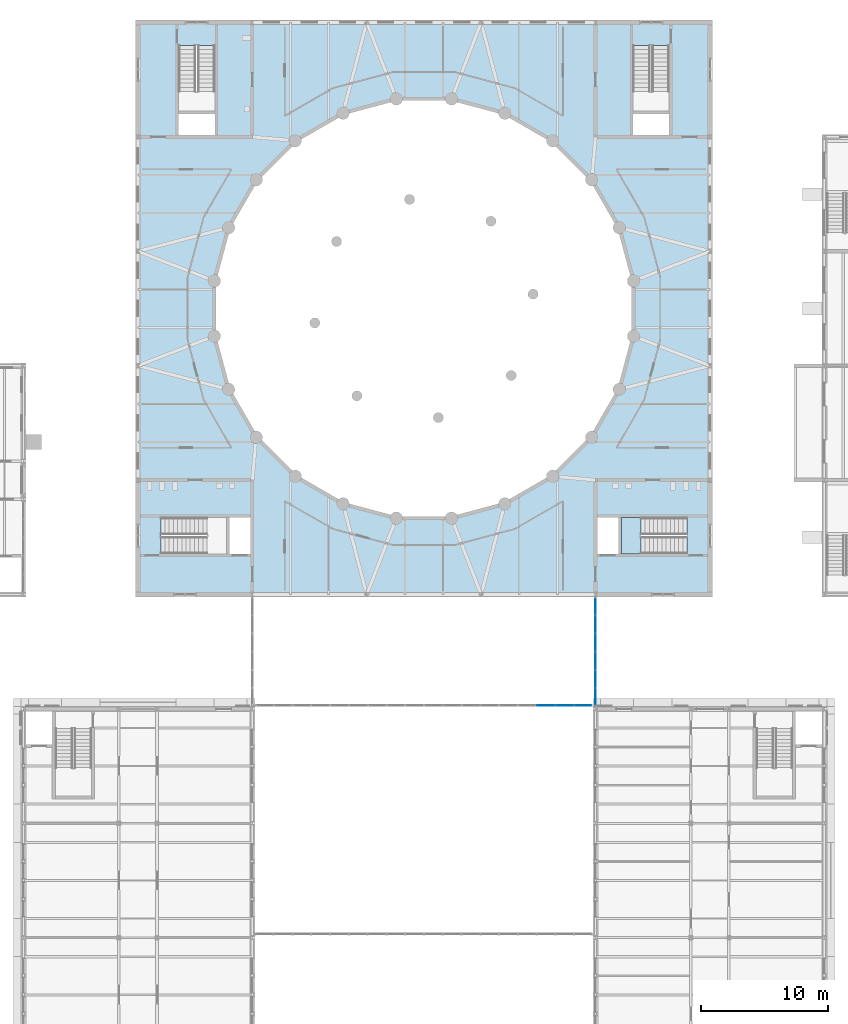
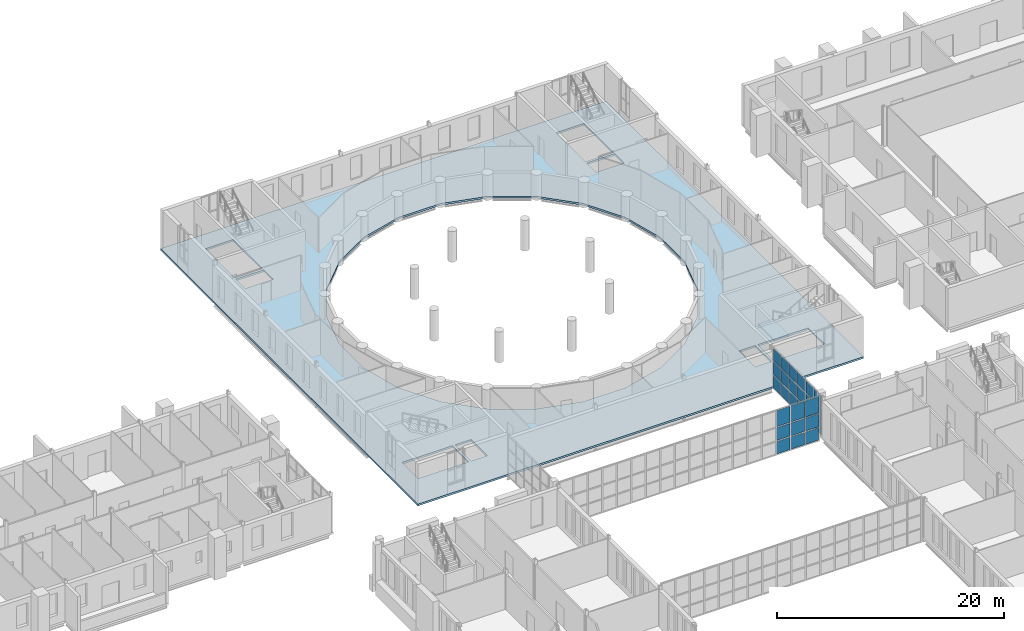
# One storey, part 65 of 134: 27 plates, 2 slabs, 3 elements without a shape of their own.
"""IFC4 building model written with IfcOpenShell, lengths in metres."""

from ifc_helpers import new_model, si_unit, direction, frame, origin, origin_2d, place, context, subcontext, project, spatial, polyline, rectangle, outline, extrude, material, layer, layer_set, type_object, element, aggregate, save


model = new_model("IFC4")

# Units and contexts
model_context = context("Model", 3, precision=1e-05, world=origin(), true_north=direction((0.0, 1.0)))
body_context = subcontext(model_context, "Body", "Model", "MODEL_VIEW")
ifc_project = project(units=[si_unit("LENGTHUNIT", "METRE"), si_unit("AREAUNIT", "SQUARE_METRE"), si_unit("VOLUMEUNIT", "CUBIC_METRE"), si_unit("PLANEANGLEUNIT", "RADIAN"), si_unit("MASSUNIT", "GRAM", prefix="KILO")], contexts=[model_context])

# Site, building, storey
site_placement = place(None, origin())
site = spatial("IfcSite", under=ifc_project, at=site_placement, CompositionType="ELEMENT")
building_placement = place(site_placement, origin())
building = spatial("IfcBuilding", under=site, at=building_placement, Name="Golden Quay Civic Hall", CompositionType="ELEMENT")
storey_placement = place(building_placement, frame((0.0, 0.0, 5.39990234375)))
storey = spatial("IfcBuildingStorey", under=building, at=storey_placement, Name="L01", CompositionType="ELEMENT", Elevation=5.39990234375)

# Slab
ifc_material_1 = material(Name="Concrete C35/45", Category="concrete")
ifc_layer_1 = layer(ifc_material_1, 0.199951171875)
ifc_layer_set_1 = layer_set([ifc_layer_1], Name="Composite floor 200")
slab_type_1 = type_object("IfcSlabType", Name="Composite floor 200", PredefinedType="FLOOR", material=ifc_layer_set_1)
slab_1_placement = place(storey_placement, frame((0.0, 0.0, -0.199951171875)))
element("IfcSlab", 1, at=slab_1_placement, inside=storey, type_object=slab_type_1, Name="Floor slab", PredefinedType="FLOOR", context=body_context, shape_type="SweptSolid", body=[
    extrude(outline(polyline([(62.800048828125, 108.199951171875), (108.199951171875, 108.199951171875), (108.199951171875, 62.800048828125), (62.800048828125, 62.800048828125), (62.800048828125, 108.199951171875)]), holes=[polyline([(98.583251953125, 95.5390625), (95.5390625, 98.583251953125), (91.810791015625, 100.73583984375), (87.652587890625, 101.85009765625), (83.347412109375, 101.85009765625), (79.189208984375, 100.73583984375), (75.4609375, 98.583251953125), (72.416748046875, 95.5390625), (70.26416015625, 91.810791015625), (69.14990234375, 87.652587890625), (69.14990234375, 83.347412109375), (70.26416015625, 79.189208984375), (72.416748046875, 75.4609375), (75.4609375, 72.416748046875), (79.189208984375, 70.26416015625), (83.347412109375, 69.14990234375), (87.652587890625, 69.14990234375), (91.810791015625, 70.26416015625), (95.5390625, 72.416748046875), (98.583251953125, 75.4609375), (100.73583984375, 79.189208984375), (101.85009765625, 83.347412109375), (101.85009765625, 87.652587890625), (100.73583984375, 91.810791015625), (98.583251953125, 95.5390625)]), polyline([(69.949951171875, 69.050048828125), (64.804931640625, 69.050048828125), (64.804931640625, 66.199951171875), (69.949951171875, 66.199951171875), (69.949951171875, 69.050048828125)]), polyline([(71.85009765625, 69.050048828125), (70.199951171875, 69.050048828125), (70.199951171875, 66.199951171875), (71.85009765625, 66.199951171875), (71.85009765625, 69.050048828125)]), polyline([(99.14990234375, 69.050048828125), (99.14990234375, 66.199951171875), (100.800048828125, 66.199951171875), (100.800048828125, 69.050048828125), (99.14990234375, 69.050048828125)]), polyline([(101.050048828125, 66.199951171875), (106.195068359375, 66.199951171875), (106.195068359375, 69.050048828125), (101.050048828125, 69.050048828125), (101.050048828125, 66.199951171875)]), polyline([(69.050048828125, 99.14990234375), (69.050048828125, 100.800048828125), (66.199951171875, 100.800048828125), (66.199951171875, 99.14990234375), (69.050048828125, 99.14990234375)]), polyline([(101.949951171875, 99.14990234375), (104.800048828125, 99.14990234375), (104.800048828125, 100.800048828125), (101.949951171875, 100.800048828125), (101.949951171875, 99.14990234375)]), polyline([(69.050048828125, 101.050048828125), (69.050048828125, 106.195068359375), (66.199951171875, 106.195068359375), (66.199951171875, 101.050048828125), (69.050048828125, 101.050048828125)]), polyline([(104.800048828125, 101.050048828125), (104.800048828125, 106.195068359375), (101.949951171875, 106.195068359375), (101.949951171875, 101.050048828125), (104.800048828125, 101.050048828125)])]), origin(), (0.0, 0.0, 1.0), 0.199951171875),
])

# Curtain wall, plates
ifc_material_2 = material(Name="Fire-resisting glass and steel", Category="steel")
curtain_wall_type_1 = type_object("IfcCurtainWallType", Name="Fire-resisting glazed curtain wall EI 120", PredefinedType="NOTDEFINED", material=ifc_material_2)
curtain_wall_1_placement = place(storey_placement, origin())
curtain_wall_1 = element("IfcCurtainWall", 2, at=curtain_wall_1_placement, inside=storey, type_object=curtain_wall_type_1, Name="CW3 curtain wall", PredefinedType="NOTDEFINED")
ifc_material_3 = material(Name="Fire-resisting laminated glass", Category="glass")
ifc_layer_2 = layer(ifc_material_3, 0.0400390625)
ifc_layer_set_2 = layer_set([ifc_layer_2], Name="Fire-resisting glazed panel 40")
plate_type_1 = type_object("IfcPlateType", Name="Fire-resisting glazed panel 40", PredefinedType="CURTAIN_PANEL", material=ifc_layer_set_2)
plate_1_placement = place(storey_placement, frame((95.10546875, 54.27001953125, -0.47998046875), z_axis=(0.0, 0.0, 1.0), x_axis=(1.0, 0.0, 0.0)))
plate_1 = element("IfcPlate", 3, at=plate_1_placement, type_object=plate_type_1, Name="CW3 panel 16.1", PredefinedType="CURTAIN_PANEL", context=body_context, shape_type="SweptSolid", body=[
    extrude(rectangle(XDim=1.357666015625, YDim=0.0400390625, at=origin_2d()), origin(), (0.0, 0.0, 1.0), 1.320068359375),
])
plate_2_placement = place(storey_placement, frame((95.10546875, 54.27001953125, 0.960205078125), z_axis=(0.0, 0.0, 1.0), x_axis=(1.0, 0.0, 0.0)))
plate_2 = element("IfcPlate", 4, at=plate_2_placement, type_object=plate_type_1, Name="CW3 panel 16.2", PredefinedType="CURTAIN_PANEL", context=body_context, shape_type="SweptSolid", body=[
    extrude(rectangle(XDim=1.357666015625, YDim=0.0400390625, at=origin_2d()), origin(), (0.0, 0.0, 1.0), 1.3798828125),
])
plate_3_placement = place(storey_placement, frame((95.10546875, 54.27001953125, 2.4599609375), z_axis=(0.0, 0.0, 1.0), x_axis=(1.0, 0.0, 0.0)))
plate_3 = element("IfcPlate", 5, at=plate_3_placement, type_object=plate_type_1, Name="CW3 panel 16.3", PredefinedType="CURTAIN_PANEL", context=body_context, shape_type="SweptSolid", body=[
    extrude(rectangle(XDim=1.357666015625, YDim=0.0400390625, at=origin_2d()), origin(), (0.0, 0.0, 1.0), 1.719970703125),
])
plate_4_placement = place(storey_placement, frame((96.583251953125, 54.27001953125, -0.47998046875), z_axis=(0.0, 0.0, 1.0), x_axis=(1.0, 0.0, 0.0)))
plate_4 = element("IfcPlate", 6, at=plate_4_placement, type_object=plate_type_1, Name="CW3 panel 17.1", PredefinedType="CURTAIN_PANEL", context=body_context, shape_type="SweptSolid", body=[
    extrude(rectangle(XDim=1.357666015625, YDim=0.0400390625, at=origin_2d()), origin(), (0.0, 0.0, 1.0), 1.320068359375),
])
plate_5_placement = place(storey_placement, frame((96.583251953125, 54.27001953125, 0.960205078125), z_axis=(0.0, 0.0, 1.0), x_axis=(1.0, 0.0, 0.0)))
plate_5 = element("IfcPlate", 7, at=plate_5_placement, type_object=plate_type_1, Name="CW3 panel 17.2", PredefinedType="CURTAIN_PANEL", context=body_context, shape_type="SweptSolid", body=[
    extrude(rectangle(XDim=1.357666015625, YDim=0.0400390625, at=origin_2d()), origin(), (0.0, 0.0, 1.0), 1.3798828125),
])
plate_6_placement = place(storey_placement, frame((96.583251953125, 54.27001953125, 2.4599609375), z_axis=(0.0, 0.0, 1.0), x_axis=(1.0, 0.0, 0.0)))
plate_6 = element("IfcPlate", 8, at=plate_6_placement, type_object=plate_type_1, Name="CW3 panel 17.3", PredefinedType="CURTAIN_PANEL", context=body_context, shape_type="SweptSolid", body=[
    extrude(rectangle(XDim=1.357666015625, YDim=0.0400390625, at=origin_2d()), origin(), (0.0, 0.0, 1.0), 1.719970703125),
])
plate_7_placement = place(storey_placement, frame((98.031005859375, 54.27001953125, -0.47998046875), z_axis=(0.0, 0.0, 1.0), x_axis=(1.0, 0.0, 0.0)))
plate_7 = element("IfcPlate", 9, at=plate_7_placement, type_object=plate_type_1, Name="CW3 panel 18.1", PredefinedType="CURTAIN_PANEL", context=body_context, shape_type="SweptSolid", body=[
    extrude(rectangle(XDim=1.2978515625, YDim=0.0400390625, at=origin_2d()), origin(), (0.0, 0.0, 1.0), 1.320068359375),
])
plate_8_placement = place(storey_placement, frame((98.031005859375, 54.27001953125, 0.960205078125), z_axis=(0.0, 0.0, 1.0), x_axis=(1.0, 0.0, 0.0)))
plate_8 = element("IfcPlate", 10, at=plate_8_placement, type_object=plate_type_1, Name="CW3 panel 18.2", PredefinedType="CURTAIN_PANEL", context=body_context, shape_type="SweptSolid", body=[
    extrude(rectangle(XDim=1.2978515625, YDim=0.0400390625, at=origin_2d()), origin(), (0.0, 0.0, 1.0), 1.3798828125),
])
plate_9_placement = place(storey_placement, frame((98.031005859375, 54.27001953125, 2.4599609375), z_axis=(0.0, 0.0, 1.0), x_axis=(1.0, 0.0, 0.0)))
plate_9 = element("IfcPlate", 11, at=plate_9_placement, type_object=plate_type_1, Name="CW3 panel 18.3", PredefinedType="CURTAIN_PANEL", context=body_context, shape_type="SweptSolid", body=[
    extrude(rectangle(XDim=1.2978515625, YDim=0.0400390625, at=origin_2d()), origin(), (0.0, 0.0, 1.0), 1.719970703125),
])
aggregate(curtain_wall_1, [plate_1, plate_2, plate_3, plate_4, plate_5, plate_6, plate_7, plate_8, plate_9])

ifc_material_4 = material(Name="Glass and aluminium", Category="aluminium")
curtain_wall_type_2 = type_object("IfcCurtainWallType", Name="Glazed curtain wall 1500 module", PredefinedType="NOTDEFINED", material=ifc_material_4)
curtain_wall_2_placement = place(storey_placement, origin())
curtain_wall_2 = element("IfcCurtainWall", 12, at=curtain_wall_2_placement, inside=storey, type_object=curtain_wall_type_2, Name="CW1 curtain wall", PredefinedType="NOTDEFINED")
ifc_material_5 = material(Name="Laminated glass", Category="glass")
ifc_layer_3 = layer(ifc_material_5, 0.028076171875)
ifc_layer_set_3 = layer_set([ifc_layer_3], Name="Laminated glass panel 28")
plate_type_2 = type_object("IfcPlateType", Name="Laminated glass panel 28", PredefinedType="CURTAIN_PANEL", material=ifc_layer_set_3)
plate_10_placement = place(storey_placement, frame((99.0, 54.94677734375, -0.080078125), z_axis=(0.0, 0.0, 1.0), x_axis=(0.0, 1.0, 0.0)))
plate_10 = element("IfcPlate", 13, at=plate_10_placement, type_object=plate_type_2, Name="CW1 panel 1.1", PredefinedType="CURTAIN_PANEL", context=body_context, shape_type="SweptSolid", body=[
    extrude(rectangle(XDim=1.25341796875, YDim=0.028076171875, at=origin_2d()), origin(), (0.0, 0.0, 1.0), 1.320068359375),
])
plate_11_placement = place(storey_placement, frame((99.0, 54.94677734375, 1.360107421875), z_axis=(0.0, 0.0, 1.0), x_axis=(0.0, 1.0, 0.0)))
plate_11 = element("IfcPlate", 14, at=plate_11_placement, type_object=plate_type_2, Name="CW1 panel 1.2", PredefinedType="CURTAIN_PANEL", context=body_context, shape_type="SweptSolid", body=[
    extrude(rectangle(XDim=1.25341796875, YDim=0.028076171875, at=origin_2d()), origin(), (0.0, 0.0, 1.0), 1.3798828125),
])
plate_12_placement = place(storey_placement, frame((99.0, 54.94677734375, 2.85986328125), z_axis=(0.0, 0.0, 1.0), x_axis=(0.0, 1.0, 0.0)))
plate_12 = element("IfcPlate", 15, at=plate_12_placement, type_object=plate_type_2, Name="CW1 panel 1.3", PredefinedType="CURTAIN_PANEL", context=body_context, shape_type="SweptSolid", body=[
    extrude(rectangle(XDim=1.25341796875, YDim=0.028076171875, at=origin_2d()), origin(), (0.0, 0.0, 1.0), 1.320068359375),
])
plate_13_placement = place(storey_placement, frame((99.0, 56.35009765625, -0.080078125), z_axis=(0.0, 0.0, 1.0), x_axis=(0.0, 1.0, 0.0)))
plate_13 = element("IfcPlate", 16, at=plate_13_placement, type_object=plate_type_2, Name="CW1 panel 2.1", PredefinedType="CURTAIN_PANEL", context=body_context, shape_type="SweptSolid", body=[
    extrude(rectangle(XDim=1.313232421875, YDim=0.028076171875, at=origin_2d()), origin(), (0.0, 0.0, 1.0), 1.320068359375),
])
plate_14_placement = place(storey_placement, frame((99.0, 56.35009765625, 1.360107421875), z_axis=(0.0, 0.0, 1.0), x_axis=(0.0, 1.0, 0.0)))
plate_14 = element("IfcPlate", 17, at=plate_14_placement, type_object=plate_type_2, Name="CW1 panel 2.2", PredefinedType="CURTAIN_PANEL", context=body_context, shape_type="SweptSolid", body=[
    extrude(rectangle(XDim=1.313232421875, YDim=0.028076171875, at=origin_2d()), origin(), (0.0, 0.0, 1.0), 1.3798828125),
])
plate_15_placement = place(storey_placement, frame((99.0, 56.35009765625, 2.85986328125), z_axis=(0.0, 0.0, 1.0), x_axis=(0.0, 1.0, 0.0)))
plate_15 = element("IfcPlate", 18, at=plate_15_placement, type_object=plate_type_2, Name="CW1 panel 2.3", PredefinedType="CURTAIN_PANEL", context=body_context, shape_type="SweptSolid", body=[
    extrude(rectangle(XDim=1.313232421875, YDim=0.028076171875, at=origin_2d()), origin(), (0.0, 0.0, 1.0), 1.320068359375),
])
plate_16_placement = place(storey_placement, frame((99.0, 57.783447265625, -0.080078125), z_axis=(0.0, 0.0, 1.0), x_axis=(0.0, 1.0, 0.0)))
plate_16 = element("IfcPlate", 19, at=plate_16_placement, type_object=plate_type_2, Name="CW1 panel 3.1", PredefinedType="CURTAIN_PANEL", context=body_context, shape_type="SweptSolid", body=[
    extrude(rectangle(XDim=1.313232421875, YDim=0.028076171875, at=origin_2d()), origin(), (0.0, 0.0, 1.0), 1.320068359375),
])
plate_17_placement = place(storey_placement, frame((99.0, 57.783447265625, 1.360107421875), z_axis=(0.0, 0.0, 1.0), x_axis=(0.0, 1.0, 0.0)))
plate_17 = element("IfcPlate", 20, at=plate_17_placement, type_object=plate_type_2, Name="CW1 panel 3.2", PredefinedType="CURTAIN_PANEL", context=body_context, shape_type="SweptSolid", body=[
    extrude(rectangle(XDim=1.313232421875, YDim=0.028076171875, at=origin_2d()), origin(), (0.0, 0.0, 1.0), 1.3798828125),
])
plate_18_placement = place(storey_placement, frame((99.0, 57.783447265625, 2.85986328125), z_axis=(0.0, 0.0, 1.0), x_axis=(0.0, 1.0, 0.0)))
plate_18 = element("IfcPlate", 21, at=plate_18_placement, type_object=plate_type_2, Name="CW1 panel 3.3", PredefinedType="CURTAIN_PANEL", context=body_context, shape_type="SweptSolid", body=[
    extrude(rectangle(XDim=1.313232421875, YDim=0.028076171875, at=origin_2d()), origin(), (0.0, 0.0, 1.0), 1.320068359375),
])
plate_19_placement = place(storey_placement, frame((99.0, 59.216552734375, -0.080078125), z_axis=(0.0, 0.0, 1.0), x_axis=(0.0, 1.0, 0.0)))
plate_19 = element("IfcPlate", 22, at=plate_19_placement, type_object=plate_type_2, Name="CW1 panel 4.1", PredefinedType="CURTAIN_PANEL", context=body_context, shape_type="SweptSolid", body=[
    extrude(rectangle(XDim=1.313232421875, YDim=0.028076171875, at=origin_2d()), origin(), (0.0, 0.0, 1.0), 1.320068359375),
])
plate_20_placement = place(storey_placement, frame((99.0, 59.216552734375, 1.360107421875), z_axis=(0.0, 0.0, 1.0), x_axis=(0.0, 1.0, 0.0)))
plate_20 = element("IfcPlate", 23, at=plate_20_placement, type_object=plate_type_2, Name="CW1 panel 4.2", PredefinedType="CURTAIN_PANEL", context=body_context, shape_type="SweptSolid", body=[
    extrude(rectangle(XDim=1.313232421875, YDim=0.028076171875, at=origin_2d()), origin(), (0.0, 0.0, 1.0), 1.3798828125),
])
plate_21_placement = place(storey_placement, frame((99.0, 59.216552734375, 2.85986328125), z_axis=(0.0, 0.0, 1.0), x_axis=(0.0, 1.0, 0.0)))
plate_21 = element("IfcPlate", 24, at=plate_21_placement, type_object=plate_type_2, Name="CW1 panel 4.3", PredefinedType="CURTAIN_PANEL", context=body_context, shape_type="SweptSolid", body=[
    extrude(rectangle(XDim=1.313232421875, YDim=0.028076171875, at=origin_2d()), origin(), (0.0, 0.0, 1.0), 1.320068359375),
])
plate_22_placement = place(storey_placement, frame((99.0, 60.64990234375, -0.080078125), z_axis=(0.0, 0.0, 1.0), x_axis=(0.0, 1.0, 0.0)))
plate_22 = element("IfcPlate", 25, at=plate_22_placement, type_object=plate_type_2, Name="CW1 panel 5.1", PredefinedType="CURTAIN_PANEL", context=body_context, shape_type="SweptSolid", body=[
    extrude(rectangle(XDim=1.313232421875, YDim=0.028076171875, at=origin_2d()), origin(), (0.0, 0.0, 1.0), 1.320068359375),
])
plate_23_placement = place(storey_placement, frame((99.0, 60.64990234375, 1.360107421875), z_axis=(0.0, 0.0, 1.0), x_axis=(0.0, 1.0, 0.0)))
plate_23 = element("IfcPlate", 26, at=plate_23_placement, type_object=plate_type_2, Name="CW1 panel 5.2", PredefinedType="CURTAIN_PANEL", context=body_context, shape_type="SweptSolid", body=[
    extrude(rectangle(XDim=1.313232421875, YDim=0.028076171875, at=origin_2d()), origin(), (0.0, 0.0, 1.0), 1.3798828125),
])
plate_24_placement = place(storey_placement, frame((99.0, 60.64990234375, 2.85986328125), z_axis=(0.0, 0.0, 1.0), x_axis=(0.0, 1.0, 0.0)))
plate_24 = element("IfcPlate", 27, at=plate_24_placement, type_object=plate_type_2, Name="CW1 panel 5.3", PredefinedType="CURTAIN_PANEL", context=body_context, shape_type="SweptSolid", body=[
    extrude(rectangle(XDim=1.313232421875, YDim=0.028076171875, at=origin_2d()), origin(), (0.0, 0.0, 1.0), 1.320068359375),
])
plate_25_placement = place(storey_placement, frame((99.0, 62.05322265625, -0.080078125), z_axis=(0.0, 0.0, 1.0), x_axis=(0.0, 1.0, 0.0)))
plate_25 = element("IfcPlate", 28, at=plate_25_placement, type_object=plate_type_2, Name="CW1 panel 6.1", PredefinedType="CURTAIN_PANEL", context=body_context, shape_type="SweptSolid", body=[
    extrude(rectangle(XDim=1.25341796875, YDim=0.028076171875, at=origin_2d()), origin(), (0.0, 0.0, 1.0), 1.320068359375),
])
plate_26_placement = place(storey_placement, frame((99.0, 62.05322265625, 1.360107421875), z_axis=(0.0, 0.0, 1.0), x_axis=(0.0, 1.0, 0.0)))
plate_26 = element("IfcPlate", 29, at=plate_26_placement, type_object=plate_type_2, Name="CW1 panel 6.2", PredefinedType="CURTAIN_PANEL", context=body_context, shape_type="SweptSolid", body=[
    extrude(rectangle(XDim=1.25341796875, YDim=0.028076171875, at=origin_2d()), origin(), (0.0, 0.0, 1.0), 1.3798828125),
])
plate_27_placement = place(storey_placement, frame((99.0, 62.05322265625, 2.85986328125), z_axis=(0.0, 0.0, 1.0), x_axis=(0.0, 1.0, 0.0)))
plate_27 = element("IfcPlate", 30, at=plate_27_placement, type_object=plate_type_2, Name="CW1 panel 6.3", PredefinedType="CURTAIN_PANEL", context=body_context, shape_type="SweptSolid", body=[
    extrude(rectangle(XDim=1.25341796875, YDim=0.028076171875, at=origin_2d()), origin(), (0.0, 0.0, 1.0), 1.320068359375),
])
aggregate(curtain_wall_2, [plate_10, plate_11, plate_12, plate_13, plate_14, plate_15, plate_16, plate_17, plate_18, plate_19, plate_20, plate_21, plate_22, plate_23, plate_24, plate_25, plate_26, plate_27])

# Stair, slab
ifc_material_6 = material(Name="Concrete C35/45", Category="concrete")
stair_type = type_object("IfcStairType", Name="Reinforced concrete stair 1350", PredefinedType="HALF_TURN_STAIR", material=ifc_material_6)
stair_placement = place(storey_placement, origin())
stair = element("IfcStair", 31, at=stair_placement, inside=storey, type_object=stair_type, Name="L01 Core stair SE", PredefinedType="HALF_TURN_STAIR")
ifc_material_7 = material(Name="Concrete C35/45", Category="concrete")
ifc_layer_4 = layer(ifc_material_7, 0.199951171875)
ifc_layer_set_4 = layer_set([ifc_layer_4], Name="Reinforced concrete stair landing 200, Concrete C35/45")
slab_type_2 = type_object("IfcSlabType", Name="Reinforced concrete stair landing 200", PredefinedType="LANDING", material=ifc_layer_set_4)
slab_2_placement = place(storey_placement, frame((0.0, 0.0, 2.050048828125)))
slab_2 = element("IfcSlab", 32, at=slab_2_placement, type_object=slab_type_2, Name="CB-SE landing 1", PredefinedType="LANDING", context=body_context, shape_type="SweptSolid", body=[
    extrude(outline(polyline([(102.570068359375, 69.050048828125), (101.050048828125, 69.050048828125), (101.050048828125, 66.199951171875), (102.570068359375, 66.199951171875), (102.570068359375, 69.050048828125)])), origin(), (0.0, 0.0, 1.0), 0.199951171875),
])
aggregate(stair, [slab_2])

save(model, "model.ifc")
